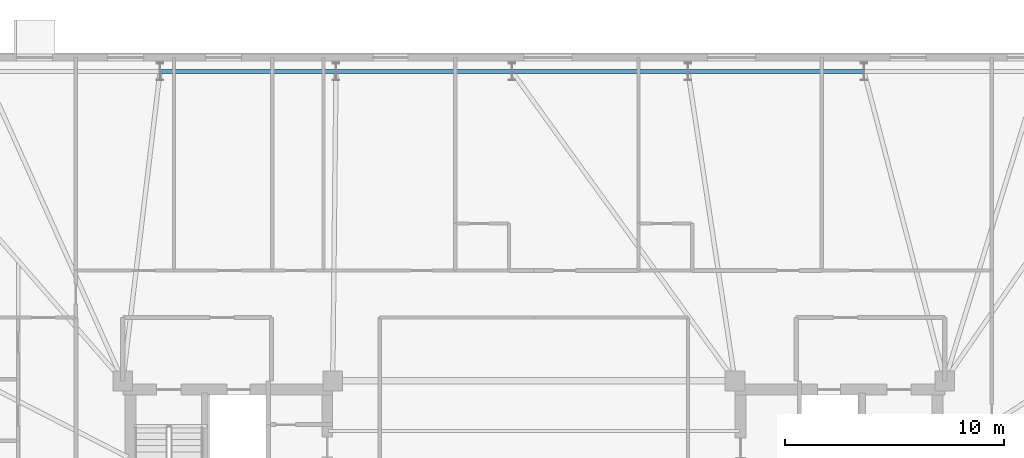
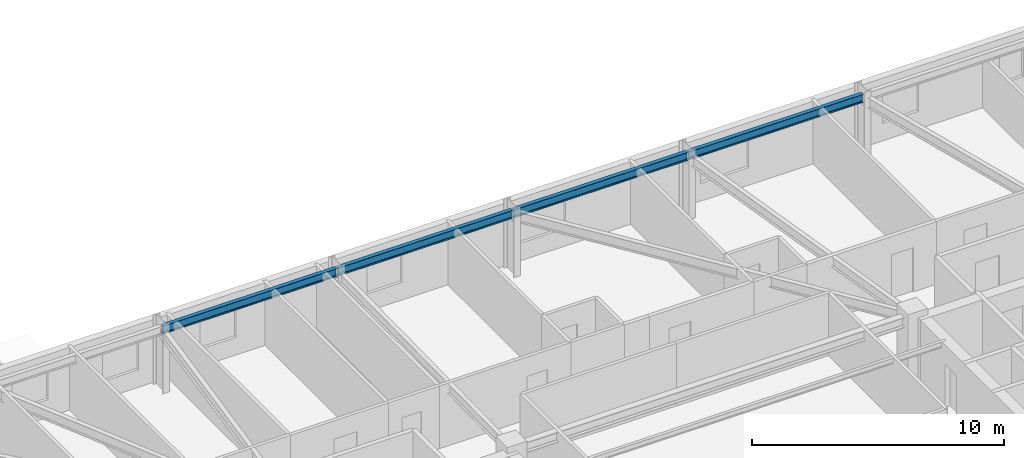
# One storey, part 8 of 17: 4 beams.
"""IFC4 building model written with IfcOpenShell, lengths in metres."""

import ifcopenshell
import ifcopenshell.guid

model = None  # the IFC model being written
_history = None  # IfcOwnerHistory: only IFC2X3 demands one
_inside = {}  # id of a spatial element -> (the spatial element, [elements in it])
_under = {}  # id of a project, library or spatial element -> (it, [spatial elements below it])
_declared = {}  # id of a project -> (the project, [libraries it declares])
_typed = {}  # id of a type object -> (the type object, [elements of that type])
_made_of = {}  # id of a material, layer set ... -> (it, [elements and type objects made of it])


def new_model(schema):
    """Start an empty IFC model of exactly this schema.

    Asked for "IFC4X3", IfcOpenShell would pick the latest addendum, in which some entities
    have other attributes; the version numbers below select the first issue.
    IFC2X3 requires an IfcOwnerHistory on every rooted entity: one is made here for all.
    """
    global model, _history
    if schema == "IFC4X3":
        model = ifcopenshell.file(schema_version=(4, 3, 0, 0))
    else:
        model = ifcopenshell.file(schema=schema)
    _inside.clear()
    _under.clear()
    _declared.clear()
    _typed.clear()
    _made_of.clear()
    _history = None
    if model.schema == "IFC2X3":
        org = make("IfcOrganization", Name="unknown")
        user = make(
            "IfcPersonAndOrganization",
            ThePerson=make("IfcPerson", FamilyName="unknown"),
            TheOrganization=org,
        )
        app = make(
            "IfcApplication",
            ApplicationDeveloper=org,
            Version="unknown",
            ApplicationFullName="unknown",
            ApplicationIdentifier="unknown",
        )
        _history = make(
            "IfcOwnerHistory",
            OwningUser=user,
            OwningApplication=app,
            ChangeAction="ADDED",
            CreationDate=0,
        )
    return model


def make(cls, **values):
    """One entity of the class cls with the attributes given. An attribute that is None is left unset."""
    return model.create_entity(
        cls, **{name: value for name, value in values.items() if value is not None}
    )


def rooted(cls, **values):
    """An entity with a GlobalId (a new one), such as an element, a storey or a relation."""
    return make(cls, GlobalId=ifcopenshell.guid.new(), OwnerHistory=_history, **values)


def si_unit(unit_type, name, prefix=None):
    """IfcSIUnit, for example si_unit("LENGTHUNIT", "METRE", prefix="MILLI")."""
    return make("IfcSIUnit", UnitType=unit_type, Prefix=prefix, Name=name)


def assignment(units):
    """IfcUnitAssignment: the units of a project."""
    return None if units is None else make("IfcUnitAssignment", Units=units)


def point(xyz):
    """IfcCartesianPoint."""
    return None if xyz is None else make("IfcCartesianPoint", Coordinates=xyz)


def direction(xyz):
    """IfcDirection."""
    return None if xyz is None else make("IfcDirection", DirectionRatios=xyz)


def frame(location, z_axis=None, x_axis=None):
    """IfcAxis2Placement3D, a coordinate frame: its origin and axes. An axis left out is left unset."""
    return make(
        "IfcAxis2Placement3D",
        Location=point(location),
        Axis=direction(z_axis),
        RefDirection=direction(x_axis),
    )


def frame_2d(location, x_axis=None):
    """IfcAxis2Placement2D, a coordinate frame in the plane: its origin and x axis."""
    return make(
        "IfcAxis2Placement2D", Location=point(location), RefDirection=direction(x_axis)
    )


def origin():
    """The frame at (0, 0, 0) with its axes left unset."""
    return frame((0.0, 0.0, 0.0))


def origin_2d():
    """The frame at (0, 0) in the plane with its x axis left unset."""
    return frame_2d((0.0, 0.0))


def place(relative_to, where):
    """IfcLocalPlacement: puts the frame where relative to a parent placement (None: the world)."""
    return make(
        "IfcLocalPlacement", PlacementRelTo=relative_to, RelativePlacement=where
    )


def context(
    kind, dimensions, precision=None, world=None, true_north=None, identifier=None
):
    """IfcGeometricRepresentationContext, for example the 3D "Model" context."""
    return make(
        "IfcGeometricRepresentationContext",
        ContextIdentifier=identifier,
        ContextType=kind,
        CoordinateSpaceDimension=dimensions,
        Precision=precision,
        WorldCoordinateSystem=world,
        TrueNorth=true_north,
    )


def subcontext(parent, identifier, kind, view, scale=None):
    """IfcGeometricRepresentationSubContext, for example "Body" below "Model"."""
    return make(
        "IfcGeometricRepresentationSubContext",
        ContextIdentifier=identifier,
        ContextType=kind,
        ParentContext=parent,
        TargetScale=scale,
        TargetView=view,
    )


def project(units=None, contexts=None):
    """IfcProject with its units and contexts."""
    return rooted(
        "IfcProject",
        Name="project",
        RepresentationContexts=contexts,
        UnitsInContext=assignment(units),
    )


def spatial(cls, under=None, at=None, **own):
    """A site, building, storey or space (cls), placed at a placement, below another one or the project."""
    s = rooted(cls, ObjectPlacement=at, **own)
    if under is not None:
        _under.setdefault(under.id(), (under, []))[1].append(s)
    return s


def profile(cls, at=None, kind="AREA", **sizes):
    """A parametric profile (cls). Its sizes go by their IFC names, for example OverallWidth=200.0."""
    return make(cls, ProfileType=kind, Position=at, **sizes)


def i_section(**sizes):
    """IfcIShapeProfileDef."""
    return profile("IfcIShapeProfileDef", **sizes)


def extrude(swept, where, along, depth):
    """IfcExtrudedAreaSolid: the profile swept, set in the frame where, extruded along a direction by depth."""
    return make(
        "IfcExtrudedAreaSolid",
        SweptArea=swept,
        Position=where,
        ExtrudedDirection=direction(along),
        Depth=depth,
    )


def shape(context_of_items, identifier, shape_type, items):
    """IfcShapeRepresentation: the items that make up one representation, for example the "Body"."""
    return make(
        "IfcShapeRepresentation",
        ContextOfItems=context_of_items,
        RepresentationIdentifier=identifier,
        RepresentationType=shape_type,
        Items=items,
    )


def material(Name=None, Category=None):
    """IfcMaterial."""
    return make("IfcMaterial", Name=Name, Category=Category)


def material_profile(
    of_material, cross_section, Name=None, Category=None, Priority=None
):
    """IfcMaterialProfile: a cross section and its material."""
    return make(
        "IfcMaterialProfile",
        Name=Name,
        Material=of_material,
        Profile=cross_section,
        Priority=Priority,
        Category=Category,
    )


def profile_set(profiles, Name=None, composite=None):
    """IfcMaterialProfileSet."""
    return make(
        "IfcMaterialProfileSet",
        Name=Name,
        MaterialProfiles=profiles,
        CompositeProfile=composite,
    )


def made_of(thing, what):
    """Note that an element or type object is made of a material, layer set ...; save() writes the relation."""
    if what is not None:
        _made_of.setdefault(what.id(), (what, []))[1].append(thing)
    return thing


def type_object(cls, material=None, **own):
    """A type object (cls), such as IfcWallType, which elements share."""
    return made_of(rooted(cls, **own), material)


def element(
    cls,
    number,
    at=None,
    inside=None,
    cuts=None,
    type_object=None,
    material=None,
    context=None,
    identifier="Body",
    shape_type=None,
    held_by="IfcProductDefinitionShape",
    body=None,
    shapes=None,
    **own,
):
    """One element of the class cls, such as IfcWall. Its Tag is "e" and its number.

    at: its placement. inside: the storey or other place that contains it. cuts: it is an
    opening in that element (IfcRelVoidsElement). A single representation is given by context,
    identifier, shape_type and body (its items); several are given by shapes. held_by: the class
    of the entity that holds the representations. save() writes the other relations.
    """
    e = rooted(cls, Tag="e%d" % number, ObjectPlacement=at, **own)
    if body is not None:
        shapes = [shape(context, identifier, shape_type, body)]
    if shapes is not None:
        e.Representation = make(held_by, Representations=shapes)
    if inside is not None:
        _inside.setdefault(inside.id(), (inside, []))[1].append(e)
    if cuts is not None:
        rooted(
            "IfcRelVoidsElement", RelatingBuildingElement=cuts, RelatedOpeningElement=e
        )
    if type_object is not None:
        _typed.setdefault(type_object.id(), (type_object, []))[1].append(e)
    return made_of(e, material)


def aggregate(whole, parts):
    """IfcRelAggregates: a whole, such as a stair, and the parts it consists of."""
    return rooted("IfcRelAggregates", RelatingObject=whole, RelatedObjects=parts)


def save(model, path):
    """Write the relations noted so far, then the file.

    IfcRelAggregates (storeys below a building ...), IfcRelContainedInSpatialStructure (elements
    in a storey), IfcRelDefinesByType, IfcRelAssociatesMaterial and IfcRelDeclares: one each for
    every whole, place, type object, material and project.
    """
    for whole, parts in _under.values():
        aggregate(whole, parts)
    for where, things in _inside.values():
        rooted(
            "IfcRelContainedInSpatialStructure",
            RelatedElements=things,
            RelatingStructure=where,
        )
    for kind, things in _typed.values():
        rooted("IfcRelDefinesByType", RelatedObjects=things, RelatingType=kind)
    for what, things in _made_of.values():
        rooted("IfcRelAssociatesMaterial", RelatedObjects=things, RelatingMaterial=what)
    for by, libraries in _declared.values():
        rooted("IfcRelDeclares", RelatingContext=by, RelatedDefinitions=libraries)
    model.write(path)


model = new_model("IFC4")

# Units and contexts
model_context = context("Model", 3, precision=1e-05, world=origin(), true_north=direction((0.0, 1.0)))
body_context = subcontext(model_context, "Body", "Model", "MODEL_VIEW")
ifc_project = project(units=[si_unit("LENGTHUNIT", "METRE"), si_unit("AREAUNIT", "SQUARE_METRE"), si_unit("VOLUMEUNIT", "CUBIC_METRE"), si_unit("PLANEANGLEUNIT", "RADIAN"), si_unit("MASSUNIT", "GRAM", prefix="KILO")], contexts=[model_context])

# Site, building, storey
site_placement = place(None, origin())
site = spatial("IfcSite", under=ifc_project, at=site_placement, CompositionType="ELEMENT")
building_placement = place(site_placement, origin())
building = spatial("IfcBuilding", under=site, at=building_placement, Name="Qobustan Lattice House", CompositionType="ELEMENT")
storey_placement = place(building_placement, frame((0.0, 0.0, 167.85009765625)))
storey = spatial("IfcBuildingStorey", under=building, at=storey_placement, Name="L47", CompositionType="ELEMENT", Elevation=167.85009765625)

# Beams
ifc_material = material(Name="Steel S355", Category="steel")
ifc_material_profile = material_profile(ifc_material, i_section(OverallWidth=0.179931640625, OverallDepth=0.39990234375, WebThickness=0.008544921875, FlangeThickness=0.013427734375, FilletRadius=0.02099609375, at=origin_2d()), Name="IPE400")
ifc_profile_set = profile_set([ifc_material_profile], Name="Steel S355")
beam_type = type_object("IfcBeamType", Name="BM-SPD-IPE400", PredefinedType="SPANDREL", material=ifc_profile_set)
for number, where, z_axis, x_axis, name in (
    (1, (15.074951171875, 19.75, 2.83984375), (-1.0, 0.0, 0.0), (0.0, -1.0, 0.0), "L47 perimeter spandrel N2-N3"),
    (2, (7.02490234375, 19.75, 2.83984375), (-1.0, 0.0, 0.0), (0.0, -1.0, 0.0), "L47 perimeter spandrel N3-N4"),
    (3, (-1.02490234375, 19.75, 2.83984375), (-1.0, 0.0, 0.0), (0.0, -1.0, 0.0), "L47 perimeter spandrel N4-N5"),
    (4, (-9.074951171875, 19.75, 2.83984375), (-1.0, 0.0, 0.0), (0.0, -1.0, 0.0), "L47 perimeter spandrel N5-N6"),
):
    element("IfcBeam", number, at=place(storey_placement, frame(where, z_axis=z_axis, x_axis=x_axis)), inside=storey, type_object=beam_type, Name=name, PredefinedType="SPANDREL", context=body_context, shape_type="SweptSolid", body=[
        extrude(i_section(OverallWidth=0.179931640625, OverallDepth=0.39990234375, WebThickness=0.008544921875, FlangeThickness=0.013427734375, FilletRadius=0.02099609375, at=origin_2d()), origin(), (0.0, 0.0, 1.0), 8.0),
    ])

save(model, "model.ifc")
